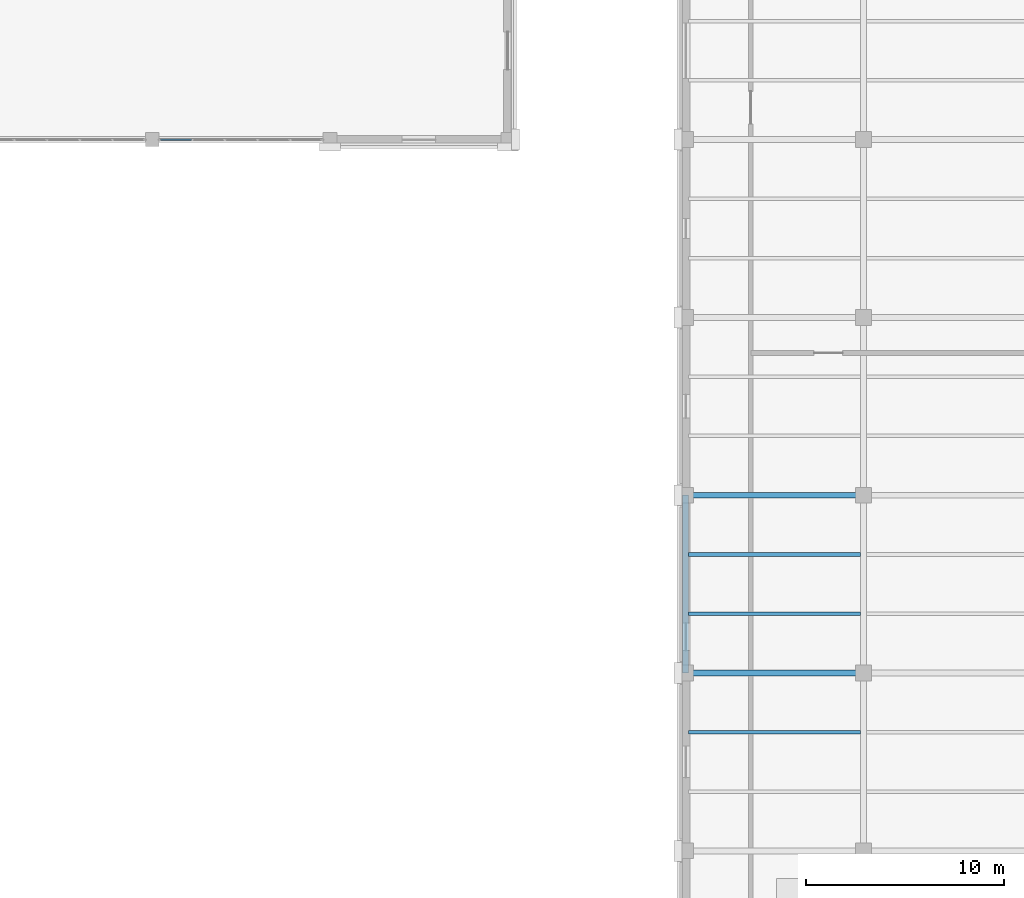
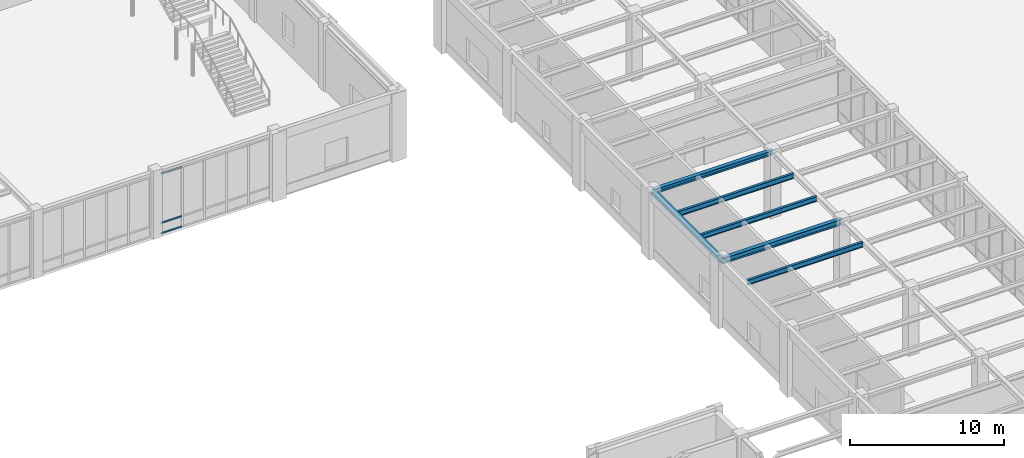
# One storey, part 38 of 77: 6 beams, 3 members, 1 element without a shape of its own.
"""IFC4 building model written with IfcOpenShell, lengths in metres."""

from ifc_helpers import new_model, si_unit, direction, frame, origin, origin_2d, place, context, subcontext, project, spatial, hollow_rectangle, i_section, extrude, material, material_profile, profile_set, type_object, element, aggregate, save


model = new_model("IFC4")

# Units and contexts
model_context = context("Model", 3, precision=1e-05, world=origin(), true_north=direction((0.0, 1.0)))
body_context = subcontext(model_context, "Body", "Model", "MODEL_VIEW")
ifc_project = project(units=[si_unit("LENGTHUNIT", "METRE"), si_unit("AREAUNIT", "SQUARE_METRE"), si_unit("VOLUMEUNIT", "CUBIC_METRE"), si_unit("PLANEANGLEUNIT", "RADIAN"), si_unit("MASSUNIT", "GRAM", prefix="KILO")], contexts=[model_context])

# Site, building, storey
site_placement = place(None, origin())
site = spatial("IfcSite", under=ifc_project, at=site_placement, CompositionType="ELEMENT")
building_placement = place(site_placement, origin())
building = spatial("IfcBuilding", under=site, at=building_placement, Name="Lykobir Media Centre", CompositionType="ELEMENT")
storey_placement = place(building_placement, origin())
storey = spatial("IfcBuildingStorey", under=building, at=storey_placement, Name="L00", CompositionType="ELEMENT", Elevation=0.0)

# Beam
ifc_material_1 = material(Name="Steel S355", Category="steel")
ifc_material_profile_1 = material_profile(ifc_material_1, i_section(OverallWidth=0.300048828125, OverallDepth=0.43994140625, WebThickness=0.011474609375, FlangeThickness=0.02099609375, at=origin_2d()), Name="HEA 450")
ifc_profile_set_1 = profile_set([ifc_material_profile_1], Name="Steel S355")
beam_type_1 = type_object("IfcBeamType", Name="BM-HEA450", PredefinedType="BEAM", material=ifc_profile_set_1)
beam_1_placement = place(storey_placement, frame((90.0, 36.0, 4.93994140625), z_axis=(1.0, 0.0, 0.0), x_axis=(0.0, 1.0, 0.0)))
element("IfcBeam", 1, at=beam_1_placement, inside=storey, type_object=beam_type_1, Name="Beam BM-L00-0900-0360-0990-0360-494", PredefinedType="BEAM", context=body_context, shape_type="SweptSolid", body=[
    extrude(i_section(OverallWidth=0.300048828125, OverallDepth=0.43994140625, WebThickness=0.011474609375, FlangeThickness=0.02099609375, at=origin_2d()), origin(), (0.0, 0.0, 1.0), 9.0),
])

# Curtain wall, members
ifc_material_2 = material(Name="Anodized Aluminium AW-6060", Category="aluminium")
curtain_wall_type = type_object("IfcCurtainWallType", Name="CW-COURT-A", PredefinedType="NOTDEFINED", material=ifc_material_2)
curtain_wall_placement = place(storey_placement, origin())
curtain_wall = element("IfcCurtainWall", 2, at=curtain_wall_placement, inside=storey, type_object=curtain_wall_type, Name="Curtain wall CW2-L00-0022", PredefinedType="NOTDEFINED")
ifc_material_profile_2 = material_profile(ifc_material_2, hollow_rectangle(XDim=0.06494140625, YDim=0.1201171875, WallThickness=0.0029296875, at=origin_2d()), Name="ALU TRANSOM 65x120")
ifc_profile_set_2 = profile_set([ifc_material_profile_2], Name="Anodized Aluminium AW-6060")
member_type = type_object("IfcMemberType", Name="CWT-120", PredefinedType="USERDEFINED", material=ifc_profile_set_2)
member_1_placement = place(storey_placement, frame((64.98046875, 63.0, 0.032470703125), z_axis=(-1.0, 0.0, 0.0), x_axis=(0.0, -1.0, 0.0)))
member_1 = element("IfcMember", 3, at=member_1_placement, type_object=member_type, Name="CW2-L00-0022 transom 5.1", ObjectType="TRANSOM", PredefinedType="USERDEFINED", context=body_context, shape_type="SweptSolid", body=[
    extrude(hollow_rectangle(XDim=0.06494140625, YDim=0.1201171875, WallThickness=0.0029296875, at=origin_2d()), origin(), (0.0, 0.0, 1.0), 1.560546875),
])
member_2_placement = place(storey_placement, frame((64.98046875, 63.0, 0.85009765625), z_axis=(-1.0, 0.0, 0.0), x_axis=(0.0, -1.0, 0.0)))
member_2 = element("IfcMember", 4, at=member_2_placement, type_object=member_type, Name="CW2-L00-0022 transom 5.2", ObjectType="TRANSOM", PredefinedType="USERDEFINED", context=body_context, shape_type="SweptSolid", body=[
    extrude(hollow_rectangle(XDim=0.06494140625, YDim=0.1201171875, WallThickness=0.0029296875, at=origin_2d()), origin(), (0.0, 0.0, 1.0), 1.560546875),
])
member_3_placement = place(storey_placement, frame((64.98046875, 63.0, 4.762451171875), z_axis=(-1.0, 0.0, 0.0), x_axis=(0.0, -1.0, 0.0)))
member_3 = element("IfcMember", 5, at=member_3_placement, type_object=member_type, Name="CW2-L00-0022 transom 5.3", ObjectType="TRANSOM", PredefinedType="USERDEFINED", context=body_context, shape_type="SweptSolid", body=[
    extrude(hollow_rectangle(XDim=0.06494140625, YDim=0.1201171875, WallThickness=0.0029296875, at=origin_2d()), origin(), (0.0, 0.0, 1.0), 1.560546875),
])
aggregate(curtain_wall, [member_1, member_2, member_3])

# Beams
ifc_material_profile_3 = material_profile(ifc_material_1, i_section(OverallWidth=0.179931640625, OverallDepth=0.39990234375, WebThickness=0.008544921875, FlangeThickness=0.013427734375, at=origin_2d()), Name="IPE 400")
ifc_profile_set_3 = profile_set([ifc_material_profile_3], Name="Steel S355")
beam_type_2 = type_object("IfcBeamType", Name="JS-IPE400", PredefinedType="JOIST", material=ifc_profile_set_3)
for number, where, z_axis, x_axis, name in (
    (6, (90.14990234375, 33.0, 4.9599609375), (1.0, 0.0, 0.0), (0.0, 1.0, 0.0), "Beam BM-L00-0902-0330-0988-0330-496"),
    (7, (90.14990234375, 39.0, 4.9599609375), (1.0, 0.0, 0.0), (0.0, 1.0, 0.0), "Beam BM-L00-0902-0390-0988-0390-496"),
    (8, (90.14990234375, 42.0, 4.9599609375), (1.0, 0.0, 0.0), (0.0, 1.0, 0.0), "Beam BM-L00-0902-0420-0988-0420-496"),
):
    element("IfcBeam", number, at=place(storey_placement, frame(where, z_axis=z_axis, x_axis=x_axis)), inside=storey, type_object=beam_type_2, Name=name, PredefinedType="JOIST", context=body_context, shape_type="SweptSolid", body=[
        extrude(i_section(OverallWidth=0.179931640625, OverallDepth=0.39990234375, WebThickness=0.008544921875, FlangeThickness=0.013427734375, at=origin_2d()), origin(), (0.0, 0.0, 1.0), 8.7001953125),
    ])
ifc_material_profile_4 = material_profile(ifc_material_1, i_section(OverallWidth=0.300048828125, OverallDepth=0.35009765625, WebThickness=0.010009765625, FlangeThickness=0.017578125, at=origin_2d()), Name="HEA 360")
ifc_profile_set_4 = profile_set([ifc_material_profile_4], Name="Steel S355")
beam_type_3 = type_object("IfcBeamType", Name="SP-HEA360", PredefinedType="SPANDREL", material=ifc_profile_set_4)
beam_2_placement = place(storey_placement, frame((90.0, 45.0, 4.985107421875), z_axis=(1.0, 0.0, 0.0), x_axis=(0.0, 1.0, 0.0)))
element("IfcBeam", 9, at=beam_2_placement, inside=storey, type_object=beam_type_3, Name="Beam BM-L00-0900-0450-0990-0450-499", PredefinedType="SPANDREL", context=body_context, shape_type="SweptSolid", body=[
    extrude(i_section(OverallWidth=0.300048828125, OverallDepth=0.35009765625, WebThickness=0.010009765625, FlangeThickness=0.017578125, at=origin_2d()), origin(), (0.0, 0.0, 1.0), 9.0),
])
ifc_material_profile_5 = material_profile(ifc_material_1, i_section(OverallWidth=0.300048828125, OverallDepth=0.35009765625, WebThickness=0.010009765625, FlangeThickness=0.017578125, at=origin_2d()), Name="HEA 360")
ifc_profile_set_5 = profile_set([ifc_material_profile_5], Name="Steel S355")
beam_type_4 = type_object("IfcBeamType", Name="SP-HEA360-E", PredefinedType="SPANDREL", material=ifc_profile_set_5)
beam_3_placement = place(storey_placement, frame((90.0, 36.0, 4.985107421875), z_axis=(0.0, 1.0, 0.0), x_axis=(-1.0, 0.0, 0.0)))
element("IfcBeam", 10, at=beam_3_placement, inside=storey, type_object=beam_type_4, Name="Beam BM-L00-0900-0360-0900-0450-499", PredefinedType="SPANDREL", context=body_context, shape_type="SweptSolid", body=[
    extrude(i_section(OverallWidth=0.300048828125, OverallDepth=0.35009765625, WebThickness=0.010009765625, FlangeThickness=0.017578125, at=origin_2d()), origin(), (0.0, 0.0, 1.0), 9.0),
])

save(model, "model.ifc")
